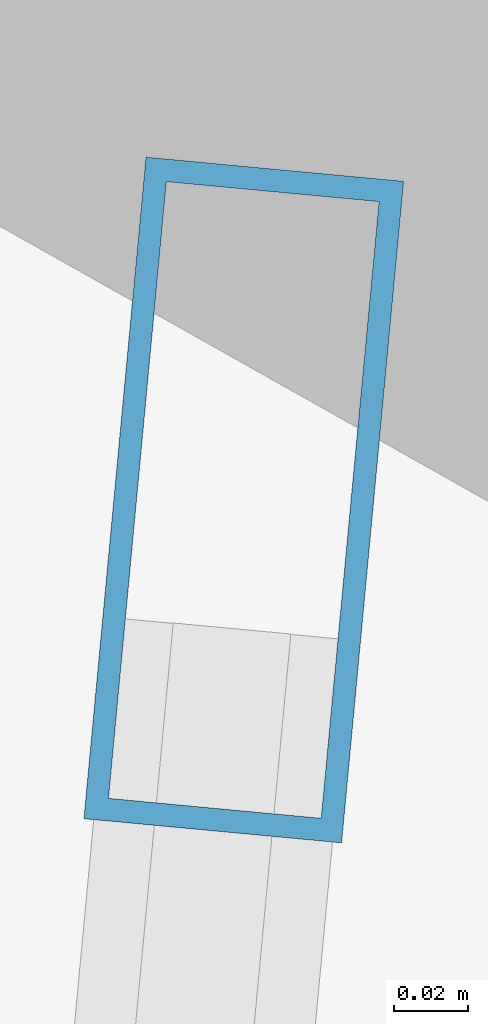
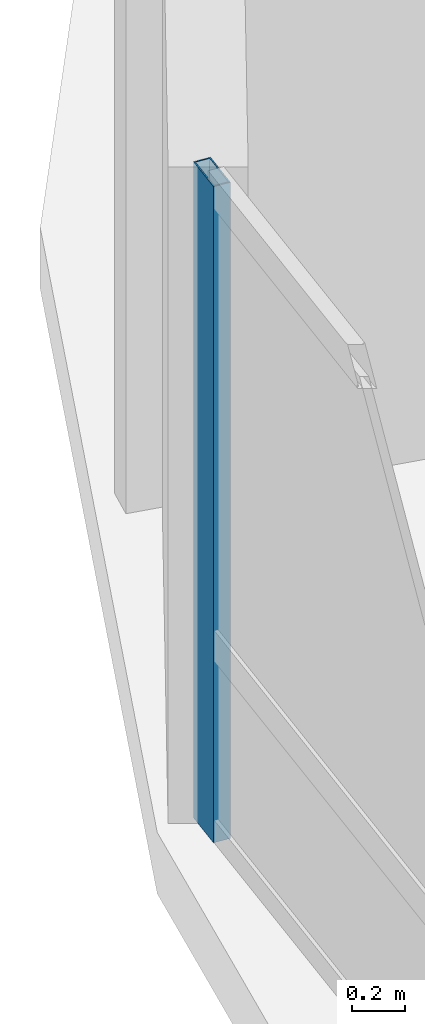
# One storey, part 6 of 17: 1 member, 1 element without a shape of its own.
"""IFC4 building model written with IfcOpenShell, lengths in metres."""

from ifc_helpers import new_model, si_unit, direction, frame, origin, origin_2d, place, context, subcontext, project, spatial, hollow_rectangle, extrude, material, layer, layer_set, material_profile, profile_set, type_object, element, aggregate, save


model = new_model("IFC4")

# Units and contexts
model_context = context("Model", 3, precision=1e-05, world=origin(), true_north=direction((0.0, 1.0)))
body_context = subcontext(model_context, "Body", "Model", "MODEL_VIEW")
ifc_project = project(units=[si_unit("LENGTHUNIT", "METRE"), si_unit("AREAUNIT", "SQUARE_METRE"), si_unit("VOLUMEUNIT", "CUBIC_METRE"), si_unit("PLANEANGLEUNIT", "RADIAN"), si_unit("MASSUNIT", "GRAM", prefix="KILO"), si_unit("THERMODYNAMICTEMPERATUREUNIT", "KELVIN"), si_unit("POWERUNIT", "WATT")], contexts=[model_context])

# Site, building, storey
site_placement = place(None, origin())
site = spatial("IfcSite", under=ifc_project, at=site_placement, CompositionType="ELEMENT")
building_placement = place(site_placement, origin())
building = spatial("IfcBuilding", under=site, at=building_placement, Name="Ocrelia Relay Tower", CompositionType="ELEMENT")
storey_placement = place(building_placement, frame((0.0, 0.0, 63.60009765625)))
storey = spatial("IfcBuildingStorey", under=building, at=storey_placement, Name="L14", CompositionType="ELEMENT", Elevation=63.60009765625)

# Curtain wall, member
ifc_material_1 = material(Name="Aluminium and solar-control low-E glass", Category="aluminium")
ifc_layer = layer(ifc_material_1, 0.179931640625, Name="Aluminium and solar-control low-E glass")
ifc_layer_set = layer_set([ifc_layer], Name="Aluminium and solar-control low-E glass")
curtain_wall_type = type_object("IfcCurtainWallType", Name="CW-SYS-Z1-DATA", PredefinedType="NOTDEFINED", material=ifc_layer_set)
curtain_wall_placement = place(storey_placement, origin())
curtain_wall = element("IfcCurtainWall", 1, at=curtain_wall_placement, inside=storey, type_object=curtain_wall_type, Name="L14 Elliptical Tower Curtain Wall Bay 09", PredefinedType="NOTDEFINED")
ifc_material_2 = material(Name="Anodised bronze aluminium", Category="aluminium")
ifc_material_profile = material_profile(ifc_material_2, hollow_rectangle(XDim=0.070068359375, YDim=0.179931640625, WallThickness=0.006103515625, at=origin_2d()), Name="CW-MUL-180x70")
ifc_profile_set = profile_set([ifc_material_profile], Name="Anodised bronze aluminium")
member_type = type_object("IfcMemberType", Name="CW-SYS-Z1-DATA-MUL", PredefinedType="MULLION", material=ifc_profile_set)
member_placement = place(storey_placement, frame((7.13916015625, 29.731201171875, 0.0), z_axis=(0.0, 0.0, 1.0), x_axis=(0.995627424728, -0.093413227811, 0.0)))
member = element("IfcMember", 2, at=member_placement, type_object=member_type, Name="CW-Z1 mullion 1", PredefinedType="MULLION", context=body_context, shape_type="SweptSolid", body=[
    extrude(hollow_rectangle(XDim=0.070068359375, YDim=0.179931640625, WallThickness=0.006103515625, at=origin_2d()), origin(), (0.0, 0.0, 1.0), 3.0),
])
aggregate(curtain_wall, [member])

save(model, "model.ifc")
